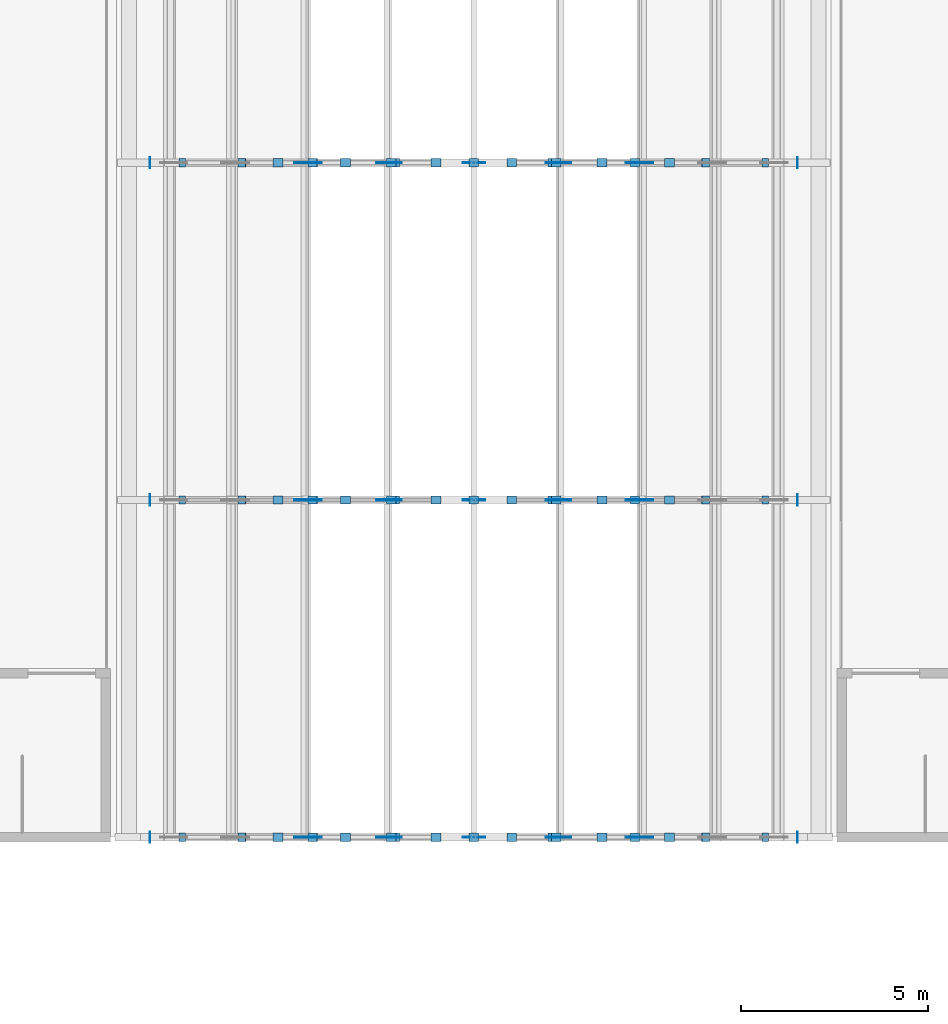
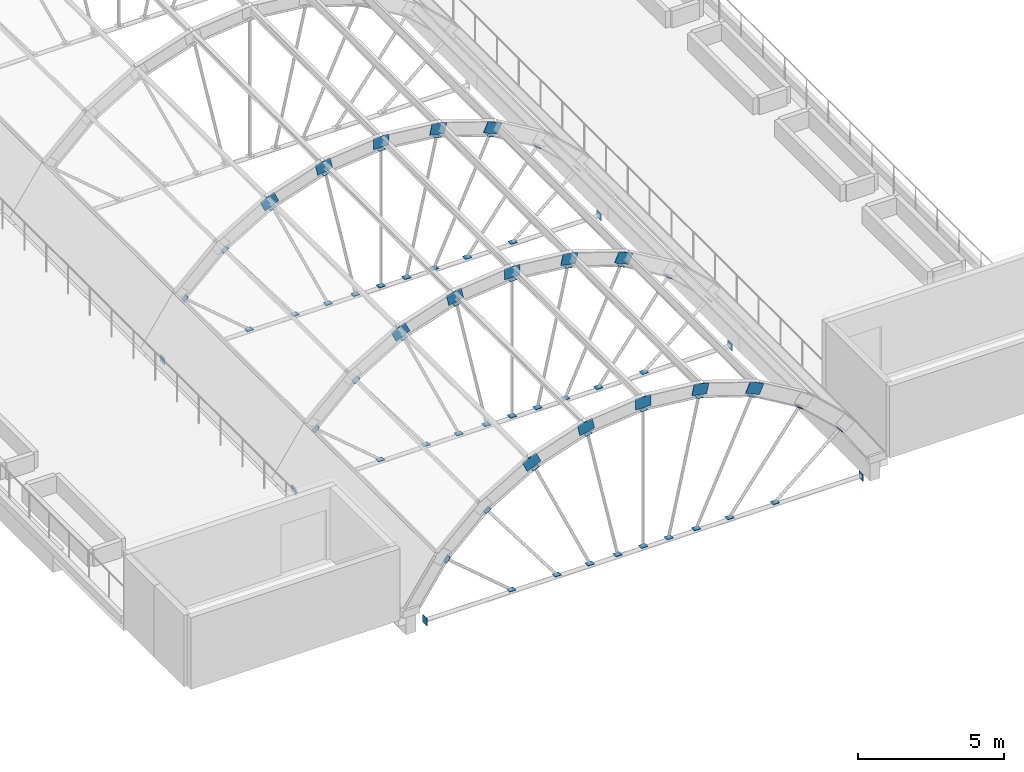
# One storey, part 66 of 79: 90 discrete accessories.
"""IFC4 building model written with IfcOpenShell, lengths in metres."""

from ifc_helpers import new_model, si_unit, direction, frame, origin, origin_2d, place, context, subcontext, project, spatial, rectangle, extrude, material, material_profile, profile_set, type_object, element, save


model = new_model("IFC4")

# Units and contexts
model_context = context("Model", 3, precision=1e-05, world=origin(), true_north=direction((0.0, 1.0)))
body_context = subcontext(model_context, "Body", "Model", "MODEL_VIEW")
ifc_project = project(units=[si_unit("LENGTHUNIT", "METRE"), si_unit("AREAUNIT", "SQUARE_METRE"), si_unit("VOLUMEUNIT", "CUBIC_METRE"), si_unit("PLANEANGLEUNIT", "RADIAN"), si_unit("MASSUNIT", "GRAM", prefix="KILO")], contexts=[model_context])

# Site, building, storey
site_placement = place(None, origin())
site = spatial("IfcSite", under=ifc_project, at=site_placement, CompositionType="ELEMENT")
building_placement = place(site_placement, origin())
building = spatial("IfcBuilding", under=site, at=building_placement, Name="Guidao Yard Department Store", CompositionType="ELEMENT")
storey_placement = place(building_placement, frame((0.0, 0.0, 15.0)))
storey = spatial("IfcBuildingStorey", under=building, at=storey_placement, Name="L03", CompositionType="ELEMENT", Elevation=15.0)

# Discrete accessories
ifc_material_1 = material(Name="Steel Q355B", Category="steel")
ifc_material_profile_1 = material_profile(ifc_material_1, rectangle(XDim=0.011962890625, YDim=0.449951171875, at=origin_2d()), Name="Splice plate 450x12")
ifc_profile_set_1 = profile_set([ifc_material_profile_1], Name="Steel Q355B")
discrete_accessory_type_1 = type_object("IfcDiscreteAccessoryType", Name="Rib splice plate SP2 steel", PredefinedType="BRACKET", material=ifc_profile_set_1)
for number, where, z_axis, x_axis, name in (
    (1, (85.30419921875, 44.988525390625, 4.585693359375), (0.909808266671, 0.0, 0.415028815744), (0.0, 1.0, 0.0), "Rib splice plate C01-03A"),
    (2, (85.30419921875, 45.011474609375, 4.585693359375), (0.909808266671, 0.0, 0.415028815744), (0.0, 1.0, 0.0), "Rib splice plate C01-03B"),
):
    element("IfcDiscreteAccessory", number, at=place(storey_placement, frame(where, z_axis=z_axis, x_axis=x_axis)), inside=storey, type_object=discrete_accessory_type_1, Name=name, PredefinedType="BRACKET", context=body_context, shape_type="SweptSolid", body=[
        extrude(rectangle(XDim=0.011962890625, YDim=0.449951171875, at=origin_2d()), origin(), (0.0, 0.0, 1.0), 0.60009765625),
    ])
for number, where, z_axis, x_axis, name in (
    (3, (87.441162109375, 44.988525390625, 5.362548828125), (0.977257109626, 0.0, 0.212057873434), (0.0, 1.0, 0.0), "Rib splice plate C01-04A"),
    (4, (87.441162109375, 45.011474609375, 5.362548828125), (0.977257109626, 0.0, 0.212057873434), (0.0, 1.0, 0.0), "Rib splice plate C01-04B"),
):
    element("IfcDiscreteAccessory", number, at=place(storey_placement, frame(where, z_axis=z_axis, x_axis=x_axis)), inside=storey, type_object=discrete_accessory_type_1, Name=name, PredefinedType="BRACKET", context=body_context, shape_type="SweptSolid", body=[
        extrude(rectangle(XDim=0.011962890625, YDim=0.449951171875, at=origin_2d()), origin(), (0.0, 0.0, 1.0), 0.599853515625),
    ])
for number, where, z_axis, x_axis, name in (
    (5, (89.699951171875, 44.988525390625, 5.668701171875), (1.0, 0.0, 0.0), (0.0, 1.0, 0.0), "Rib splice plate C01-05A"),
    (6, (89.699951171875, 45.011474609375, 5.668701171875), (1.0, 0.0, 0.0), (0.0, 1.0, 0.0), "Rib splice plate C01-05B"),
):
    element("IfcDiscreteAccessory", number, at=place(storey_placement, frame(where, z_axis=z_axis, x_axis=x_axis)), inside=storey, type_object=discrete_accessory_type_1, Name=name, PredefinedType="BRACKET", context=body_context, shape_type="SweptSolid", body=[
        extrude(rectangle(XDim=0.011962890625, YDim=0.449951171875, at=origin_2d()), origin(), (0.0, 0.0, 1.0), 0.60009765625),
    ])
for number, where, z_axis, x_axis, name in (
    (7, (91.97265625, 44.988525390625, 5.48974609375), (0.977257109626, 0.0, -0.212057873434), (0.0, 1.0, 0.0), "Rib splice plate C01-06A"),
    (8, (91.97265625, 45.011474609375, 5.48974609375), (0.977257109626, 0.0, -0.212057873434), (0.0, 1.0, 0.0), "Rib splice plate C01-06B"),
):
    element("IfcDiscreteAccessory", number, at=place(storey_placement, frame(where, z_axis=z_axis, x_axis=x_axis)), inside=storey, type_object=discrete_accessory_type_1, Name=name, PredefinedType="BRACKET", context=body_context, shape_type="SweptSolid", body=[
        extrude(rectangle(XDim=0.011962890625, YDim=0.449951171875, at=origin_2d()), origin(), (0.0, 0.0, 1.0), 0.599853515625),
    ])
for number, where, z_axis, x_axis, name in (
    (9, (94.14990234375, 44.988525390625, 4.834716796875), (0.909808266671, 0.0, -0.415028815744), (0.0, 1.0, 0.0), "Rib splice plate C01-07A"),
    (10, (94.14990234375, 45.011474609375, 4.834716796875), (0.909808266671, 0.0, -0.415028815744), (0.0, 1.0, 0.0), "Rib splice plate C01-07B"),
    (11, (85.30419921875, 53.988525390625, 4.585693359375), (0.909808266671, 0.0, 0.415028815744), (0.0, 1.0, 0.0), "Rib splice plate C02-03A"),
    (12, (85.30419921875, 54.011474609375, 4.585693359375), (0.909808266671, 0.0, 0.415028815744), (0.0, 1.0, 0.0), "Rib splice plate C02-03B"),
):
    element("IfcDiscreteAccessory", number, at=place(storey_placement, frame(where, z_axis=z_axis, x_axis=x_axis)), inside=storey, type_object=discrete_accessory_type_1, Name=name, PredefinedType="BRACKET", context=body_context, shape_type="SweptSolid", body=[
        extrude(rectangle(XDim=0.011962890625, YDim=0.449951171875, at=origin_2d()), origin(), (0.0, 0.0, 1.0), 0.60009765625),
    ])
for number, where, z_axis, x_axis, name in (
    (13, (87.441162109375, 53.988525390625, 5.362548828125), (0.977257109626, 0.0, 0.212057873434), (0.0, 1.0, 0.0), "Rib splice plate C02-04A"),
    (14, (87.441162109375, 54.011474609375, 5.362548828125), (0.977257109626, 0.0, 0.212057873434), (0.0, 1.0, 0.0), "Rib splice plate C02-04B"),
):
    element("IfcDiscreteAccessory", number, at=place(storey_placement, frame(where, z_axis=z_axis, x_axis=x_axis)), inside=storey, type_object=discrete_accessory_type_1, Name=name, PredefinedType="BRACKET", context=body_context, shape_type="SweptSolid", body=[
        extrude(rectangle(XDim=0.011962890625, YDim=0.449951171875, at=origin_2d()), origin(), (0.0, 0.0, 1.0), 0.599853515625),
    ])
for number, where, z_axis, x_axis, name in (
    (15, (89.699951171875, 53.988525390625, 5.668701171875), (1.0, 0.0, 0.0), (0.0, 1.0, 0.0), "Rib splice plate C02-05A"),
    (16, (89.699951171875, 54.011474609375, 5.668701171875), (1.0, 0.0, 0.0), (0.0, 1.0, 0.0), "Rib splice plate C02-05B"),
):
    element("IfcDiscreteAccessory", number, at=place(storey_placement, frame(where, z_axis=z_axis, x_axis=x_axis)), inside=storey, type_object=discrete_accessory_type_1, Name=name, PredefinedType="BRACKET", context=body_context, shape_type="SweptSolid", body=[
        extrude(rectangle(XDim=0.011962890625, YDim=0.449951171875, at=origin_2d()), origin(), (0.0, 0.0, 1.0), 0.60009765625),
    ])
for number, where, z_axis, x_axis, name in (
    (17, (91.97265625, 53.988525390625, 5.48974609375), (0.977257109626, 0.0, -0.212057873434), (0.0, 1.0, 0.0), "Rib splice plate C02-06A"),
    (18, (91.97265625, 54.011474609375, 5.48974609375), (0.977257109626, 0.0, -0.212057873434), (0.0, 1.0, 0.0), "Rib splice plate C02-06B"),
):
    element("IfcDiscreteAccessory", number, at=place(storey_placement, frame(where, z_axis=z_axis, x_axis=x_axis)), inside=storey, type_object=discrete_accessory_type_1, Name=name, PredefinedType="BRACKET", context=body_context, shape_type="SweptSolid", body=[
        extrude(rectangle(XDim=0.011962890625, YDim=0.449951171875, at=origin_2d()), origin(), (0.0, 0.0, 1.0), 0.599853515625),
    ])
for number, where, z_axis, x_axis, name in (
    (19, (94.14990234375, 53.988525390625, 4.834716796875), (0.909808266671, 0.0, -0.415028815744), (0.0, 1.0, 0.0), "Rib splice plate C02-07A"),
    (20, (94.14990234375, 54.011474609375, 4.834716796875), (0.909808266671, 0.0, -0.415028815744), (0.0, 1.0, 0.0), "Rib splice plate C02-07B"),
    (21, (85.30419921875, 62.988525390625, 4.585693359375), (0.909808266671, 0.0, 0.415028815744), (0.0, 1.0, 0.0), "Rib splice plate C03-03A"),
    (22, (85.30419921875, 63.011474609375, 4.585693359375), (0.909808266671, 0.0, 0.415028815744), (0.0, 1.0, 0.0), "Rib splice plate C03-03B"),
):
    element("IfcDiscreteAccessory", number, at=place(storey_placement, frame(where, z_axis=z_axis, x_axis=x_axis)), inside=storey, type_object=discrete_accessory_type_1, Name=name, PredefinedType="BRACKET", context=body_context, shape_type="SweptSolid", body=[
        extrude(rectangle(XDim=0.011962890625, YDim=0.449951171875, at=origin_2d()), origin(), (0.0, 0.0, 1.0), 0.60009765625),
    ])
for number, where, z_axis, x_axis, name in (
    (23, (87.441162109375, 62.988525390625, 5.362548828125), (0.977257109626, 0.0, 0.212057873434), (0.0, 1.0, 0.0), "Rib splice plate C03-04A"),
    (24, (87.441162109375, 63.011474609375, 5.362548828125), (0.977257109626, 0.0, 0.212057873434), (0.0, 1.0, 0.0), "Rib splice plate C03-04B"),
):
    element("IfcDiscreteAccessory", number, at=place(storey_placement, frame(where, z_axis=z_axis, x_axis=x_axis)), inside=storey, type_object=discrete_accessory_type_1, Name=name, PredefinedType="BRACKET", context=body_context, shape_type="SweptSolid", body=[
        extrude(rectangle(XDim=0.011962890625, YDim=0.449951171875, at=origin_2d()), origin(), (0.0, 0.0, 1.0), 0.599853515625),
    ])
for number, where, z_axis, x_axis, name in (
    (25, (89.699951171875, 62.988525390625, 5.668701171875), (1.0, 0.0, 0.0), (0.0, 1.0, 0.0), "Rib splice plate C03-05A"),
    (26, (89.699951171875, 63.011474609375, 5.668701171875), (1.0, 0.0, 0.0), (0.0, 1.0, 0.0), "Rib splice plate C03-05B"),
):
    element("IfcDiscreteAccessory", number, at=place(storey_placement, frame(where, z_axis=z_axis, x_axis=x_axis)), inside=storey, type_object=discrete_accessory_type_1, Name=name, PredefinedType="BRACKET", context=body_context, shape_type="SweptSolid", body=[
        extrude(rectangle(XDim=0.011962890625, YDim=0.449951171875, at=origin_2d()), origin(), (0.0, 0.0, 1.0), 0.60009765625),
    ])
for number, where, z_axis, x_axis, name in (
    (27, (91.97265625, 62.988525390625, 5.48974609375), (0.977257109626, 0.0, -0.212057873434), (0.0, 1.0, 0.0), "Rib splice plate C03-06A"),
    (28, (91.97265625, 63.011474609375, 5.48974609375), (0.977257109626, 0.0, -0.212057873434), (0.0, 1.0, 0.0), "Rib splice plate C03-06B"),
):
    element("IfcDiscreteAccessory", number, at=place(storey_placement, frame(where, z_axis=z_axis, x_axis=x_axis)), inside=storey, type_object=discrete_accessory_type_1, Name=name, PredefinedType="BRACKET", context=body_context, shape_type="SweptSolid", body=[
        extrude(rectangle(XDim=0.011962890625, YDim=0.449951171875, at=origin_2d()), origin(), (0.0, 0.0, 1.0), 0.599853515625),
    ])
for number, where, z_axis, x_axis, name in (
    (29, (94.14990234375, 62.988525390625, 4.834716796875), (0.909808266671, 0.0, -0.415028815744), (0.0, 1.0, 0.0), "Rib splice plate C03-07A"),
    (30, (94.14990234375, 63.011474609375, 4.834716796875), (0.909808266671, 0.0, -0.415028815744), (0.0, 1.0, 0.0), "Rib splice plate C03-07B"),
):
    element("IfcDiscreteAccessory", number, at=place(storey_placement, frame(where, z_axis=z_axis, x_axis=x_axis)), inside=storey, type_object=discrete_accessory_type_1, Name=name, PredefinedType="BRACKET", context=body_context, shape_type="SweptSolid", body=[
        extrude(rectangle(XDim=0.011962890625, YDim=0.449951171875, at=origin_2d()), origin(), (0.0, 0.0, 1.0), 0.60009765625),
    ])
ifc_material_2 = material(Name="Steel Q355B", Category="steel")
ifc_material_profile_2 = material_profile(ifc_material_2, rectangle(XDim=0.300048828125, YDim=0.011962890625, at=origin_2d()), Name="Node plate 300x12")
ifc_profile_set_2 = profile_set([ifc_material_profile_2], Name="Steel Q355B")
discrete_accessory_type_2 = type_object("IfcDiscreteAccessoryType", Name="Tie end plate NP3 300 steel", PredefinedType="BRACKET", material=ifc_profile_set_2)
for number, where, z_axis, x_axis, name in (
    (31, (81.35595703125, 44.85009765625, -0.449951171875), (0.0, 1.0, 0.0), (0.0, 0.0, 1.0), "Tie end plate C01L"),
    (32, (98.64404296875, 44.85009765625, -0.449951171875), (0.0, 1.0, 0.0), (0.0, 0.0, 1.0), "Tie end plate C01R"),
    (33, (81.35595703125, 53.85009765625, -0.449951171875), (0.0, 1.0, 0.0), (0.0, 0.0, 1.0), "Tie end plate C02L"),
    (34, (98.64404296875, 53.85009765625, -0.449951171875), (0.0, 1.0, 0.0), (0.0, 0.0, 1.0), "Tie end plate C02R"),
    (35, (81.35595703125, 62.85009765625, -0.449951171875), (0.0, 1.0, 0.0), (0.0, 0.0, 1.0), "Tie end plate C03L"),
    (36, (98.64404296875, 62.85009765625, -0.449951171875), (0.0, 1.0, 0.0), (0.0, 0.0, 1.0), "Tie end plate C03R"),
):
    element("IfcDiscreteAccessory", number, at=place(storey_placement, frame(where, z_axis=z_axis, x_axis=x_axis)), inside=storey, type_object=discrete_accessory_type_2, Name=name, PredefinedType="BRACKET", context=body_context, shape_type="SweptSolid", body=[
        extrude(rectangle(XDim=0.300048828125, YDim=0.011962890625, at=origin_2d()), origin(), (0.0, 0.0, 1.0), 0.2998046875),
    ])
ifc_material_3 = material(Name="Steel Q355B", Category="steel")
ifc_material_profile_3 = material_profile(ifc_material_3, rectangle(XDim=0.260009765625, YDim=0.011962890625, at=origin_2d()), Name="Node plate 260x12")
ifc_profile_set_3 = profile_set([ifc_material_profile_3], Name="Steel Q355B")
discrete_accessory_type_3 = type_object("IfcDiscreteAccessoryType", Name="Web foot plate NP2 steel", PredefinedType="BRACKET", material=ifc_profile_set_3)
for number, where, z_axis, x_axis, name in (
    (37, (84.77490234375, 44.889892578125, -0.360107421875), (0.0, 1.0, 0.0), (-1.0, 0.0, 0.0), "Web foot plate C01-01F"),
    (38, (86.575927734375, 44.889892578125, -0.360107421875), (0.0, 1.0, 0.0), (-1.0, 0.0, 0.0), "Web foot plate C01-02F"),
    (39, (87.890869140625, 44.889892578125, -0.360107421875), (0.0, 1.0, 0.0), (-1.0, 0.0, 0.0), "Web foot plate C01-03F"),
    (40, (88.98876953125, 44.889892578125, -0.360107421875), (0.0, 1.0, 0.0), (-1.0, 0.0, 0.0), "Web foot plate C01-04F"),
    (41, (90.0, 44.889892578125, -0.360107421875), (0.0, 1.0, 0.0), (-1.0, 0.0, 0.0), "Web foot plate C01-05F"),
    (42, (91.01123046875, 44.889892578125, -0.360107421875), (0.0, 1.0, 0.0), (-1.0, 0.0, 0.0), "Web foot plate C01-06F"),
    (43, (92.109130859375, 44.889892578125, -0.360107421875), (0.0, 1.0, 0.0), (-1.0, 0.0, 0.0), "Web foot plate C01-07F"),
    (44, (93.424072265625, 44.889892578125, -0.360107421875), (0.0, 1.0, 0.0), (-1.0, 0.0, 0.0), "Web foot plate C01-08F"),
    (45, (95.22509765625, 44.889892578125, -0.360107421875), (0.0, 1.0, 0.0), (-1.0, 0.0, 0.0), "Web foot plate C01-09F"),
    (46, (84.77490234375, 53.889892578125, -0.360107421875), (0.0, 1.0, 0.0), (-1.0, 0.0, 0.0), "Web foot plate C02-01F"),
    (47, (86.575927734375, 53.889892578125, -0.360107421875), (0.0, 1.0, 0.0), (-1.0, 0.0, 0.0), "Web foot plate C02-02F"),
    (48, (87.890869140625, 53.889892578125, -0.360107421875), (0.0, 1.0, 0.0), (-1.0, 0.0, 0.0), "Web foot plate C02-03F"),
    (49, (88.98876953125, 53.889892578125, -0.360107421875), (0.0, 1.0, 0.0), (-1.0, 0.0, 0.0), "Web foot plate C02-04F"),
    (50, (90.0, 53.889892578125, -0.360107421875), (0.0, 1.0, 0.0), (-1.0, 0.0, 0.0), "Web foot plate C02-05F"),
    (51, (91.01123046875, 53.889892578125, -0.360107421875), (0.0, 1.0, 0.0), (-1.0, 0.0, 0.0), "Web foot plate C02-06F"),
    (52, (92.109130859375, 53.889892578125, -0.360107421875), (0.0, 1.0, 0.0), (-1.0, 0.0, 0.0), "Web foot plate C02-07F"),
    (53, (93.424072265625, 53.889892578125, -0.360107421875), (0.0, 1.0, 0.0), (-1.0, 0.0, 0.0), "Web foot plate C02-08F"),
    (54, (95.22509765625, 53.889892578125, -0.360107421875), (0.0, 1.0, 0.0), (-1.0, 0.0, 0.0), "Web foot plate C02-09F"),
    (55, (84.77490234375, 62.889892578125, -0.360107421875), (0.0, 1.0, 0.0), (-1.0, 0.0, 0.0), "Web foot plate C03-01F"),
    (56, (86.575927734375, 62.889892578125, -0.360107421875), (0.0, 1.0, 0.0), (-1.0, 0.0, 0.0), "Web foot plate C03-02F"),
    (57, (87.890869140625, 62.889892578125, -0.360107421875), (0.0, 1.0, 0.0), (-1.0, 0.0, 0.0), "Web foot plate C03-03F"),
    (58, (88.98876953125, 62.889892578125, -0.360107421875), (0.0, 1.0, 0.0), (-1.0, 0.0, 0.0), "Web foot plate C03-04F"),
    (59, (90.0, 62.889892578125, -0.360107421875), (0.0, 1.0, 0.0), (-1.0, 0.0, 0.0), "Web foot plate C03-05F"),
    (60, (91.01123046875, 62.889892578125, -0.360107421875), (0.0, 1.0, 0.0), (-1.0, 0.0, 0.0), "Web foot plate C03-06F"),
    (61, (92.109130859375, 62.889892578125, -0.360107421875), (0.0, 1.0, 0.0), (-1.0, 0.0, 0.0), "Web foot plate C03-07F"),
    (62, (93.424072265625, 62.889892578125, -0.360107421875), (0.0, 1.0, 0.0), (-1.0, 0.0, 0.0), "Web foot plate C03-08F"),
    (63, (95.22509765625, 62.889892578125, -0.360107421875), (0.0, 1.0, 0.0), (-1.0, 0.0, 0.0), "Web foot plate C03-09F"),
):
    element("IfcDiscreteAccessory", number, at=place(storey_placement, frame(where, z_axis=z_axis, x_axis=x_axis)), inside=storey, type_object=discrete_accessory_type_3, Name=name, PredefinedType="BRACKET", context=body_context, shape_type="SweptSolid", body=[
        extrude(rectangle(XDim=0.260009765625, YDim=0.011962890625, at=origin_2d()), origin(), (0.0, 0.0, 1.0), 0.22021484375),
    ])
ifc_material_4 = material(Name="Steel Q355B", Category="steel")
ifc_material_profile_4 = material_profile(ifc_material_4, rectangle(XDim=0.260009765625, YDim=0.011962890625, at=origin_2d()), Name="Node plate 260x12")
ifc_profile_set_4 = profile_set([ifc_material_profile_4], Name="Steel Q355B")
discrete_accessory_type_4 = type_object("IfcDiscreteAccessoryType", Name="Web head plate NP1 steel", PredefinedType="BRACKET", material=ifc_profile_set_4)
for number, where, z_axis, x_axis, name in (
    (64, (82.221923828125, 44.889892578125, 1.82080078125), (0.0, 1.0, 0.0), (-0.649536869322, 0.0, -0.760330096334), "Web head plate C01-01H"),
    (65, (83.8134765625, 44.889892578125, 3.314208984375), (0.0, 1.0, 0.0), (-0.79928350319, 0.0, -0.600954142617), "Web head plate C01-02H"),
    (66, (85.702392578125, 44.889892578125, 4.435791015625), (0.0, 1.0, 0.0), (-0.909750741633, 0.0, -0.415154896513), "Web head plate C01-03H"),
    (67, (87.798095703125, 44.889892578125, 5.13134765625), (0.0, 1.0, 0.0), (-0.977291953985, 0.0, -0.211897231402), "Web head plate C01-04H"),
    (68, (90.0, 44.889892578125, 5.366943359375), (0.0, 1.0, 0.0), (-1.0, 0.0, 0.0), "Web head plate C01-05H"),
    (69, (92.201904296875, 44.889892578125, 5.13134765625), (0.0, 1.0, 0.0), (-0.977291953985, 0.0, 0.211897231402), "Web head plate C01-06H"),
    (70, (94.297607421875, 44.889892578125, 4.435791015625), (0.0, 1.0, 0.0), (-0.909750741633, 0.0, 0.415154896513), "Web head plate C01-07H"),
    (71, (96.1865234375, 44.889892578125, 3.314208984375), (0.0, 1.0, 0.0), (-0.79928350319, 0.0, 0.600954142617), "Web head plate C01-08H"),
    (72, (97.778076171875, 44.889892578125, 1.82080078125), (0.0, 1.0, 0.0), (-0.649536869322, 0.0, 0.760330096334), "Web head plate C01-09H"),
    (73, (82.221923828125, 53.889892578125, 1.82080078125), (0.0, 1.0, 0.0), (-0.649536869322, 0.0, -0.760330096334), "Web head plate C02-01H"),
    (74, (83.8134765625, 53.889892578125, 3.314208984375), (0.0, 1.0, 0.0), (-0.79928350319, 0.0, -0.600954142617), "Web head plate C02-02H"),
    (75, (85.702392578125, 53.889892578125, 4.435791015625), (0.0, 1.0, 0.0), (-0.909750741633, 0.0, -0.415154896513), "Web head plate C02-03H"),
    (76, (87.798095703125, 53.889892578125, 5.13134765625), (0.0, 1.0, 0.0), (-0.977291953985, 0.0, -0.211897231402), "Web head plate C02-04H"),
    (77, (90.0, 53.889892578125, 5.366943359375), (0.0, 1.0, 0.0), (-1.0, 0.0, 0.0), "Web head plate C02-05H"),
    (78, (92.201904296875, 53.889892578125, 5.13134765625), (0.0, 1.0, 0.0), (-0.977291953985, 0.0, 0.211897231402), "Web head plate C02-06H"),
    (79, (94.297607421875, 53.889892578125, 4.435791015625), (0.0, 1.0, 0.0), (-0.909750741633, 0.0, 0.415154896513), "Web head plate C02-07H"),
    (80, (96.1865234375, 53.889892578125, 3.314208984375), (0.0, 1.0, 0.0), (-0.79928350319, 0.0, 0.600954142617), "Web head plate C02-08H"),
    (81, (97.778076171875, 53.889892578125, 1.82080078125), (0.0, 1.0, 0.0), (-0.649536869322, 0.0, 0.760330096334), "Web head plate C02-09H"),
    (82, (82.221923828125, 62.889892578125, 1.82080078125), (0.0, 1.0, 0.0), (-0.649536869322, 0.0, -0.760330096334), "Web head plate C03-01H"),
    (83, (83.8134765625, 62.889892578125, 3.314208984375), (0.0, 1.0, 0.0), (-0.79928350319, 0.0, -0.600954142617), "Web head plate C03-02H"),
    (84, (85.702392578125, 62.889892578125, 4.435791015625), (0.0, 1.0, 0.0), (-0.909750741633, 0.0, -0.415154896513), "Web head plate C03-03H"),
    (85, (87.798095703125, 62.889892578125, 5.13134765625), (0.0, 1.0, 0.0), (-0.977291953985, 0.0, -0.211897231402), "Web head plate C03-04H"),
    (86, (90.0, 62.889892578125, 5.366943359375), (0.0, 1.0, 0.0), (-1.0, 0.0, 0.0), "Web head plate C03-05H"),
    (87, (92.201904296875, 62.889892578125, 5.13134765625), (0.0, 1.0, 0.0), (-0.977291953985, 0.0, 0.211897231402), "Web head plate C03-06H"),
    (88, (94.297607421875, 62.889892578125, 4.435791015625), (0.0, 1.0, 0.0), (-0.909750741633, 0.0, 0.415154896513), "Web head plate C03-07H"),
    (89, (96.1865234375, 62.889892578125, 3.314208984375), (0.0, 1.0, 0.0), (-0.79928350319, 0.0, 0.600954142617), "Web head plate C03-08H"),
    (90, (97.778076171875, 62.889892578125, 1.82080078125), (0.0, 1.0, 0.0), (-0.649536869322, 0.0, 0.760330096334), "Web head plate C03-09H"),
):
    element("IfcDiscreteAccessory", number, at=place(storey_placement, frame(where, z_axis=z_axis, x_axis=x_axis)), inside=storey, type_object=discrete_accessory_type_4, Name=name, PredefinedType="BRACKET", context=body_context, shape_type="SweptSolid", body=[
        extrude(rectangle(XDim=0.260009765625, YDim=0.011962890625, at=origin_2d()), origin(), (0.0, 0.0, 1.0), 0.22021484375),
    ])

save(model, "model.ifc")
